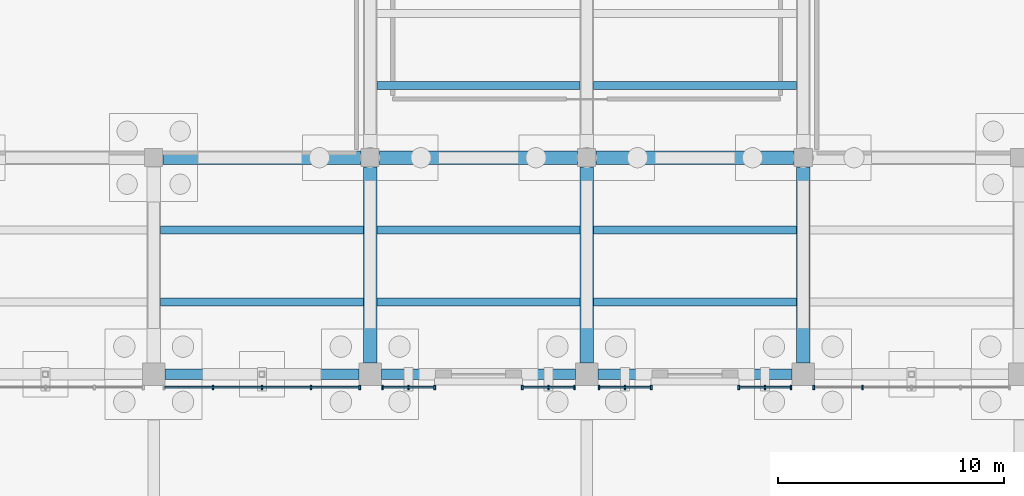
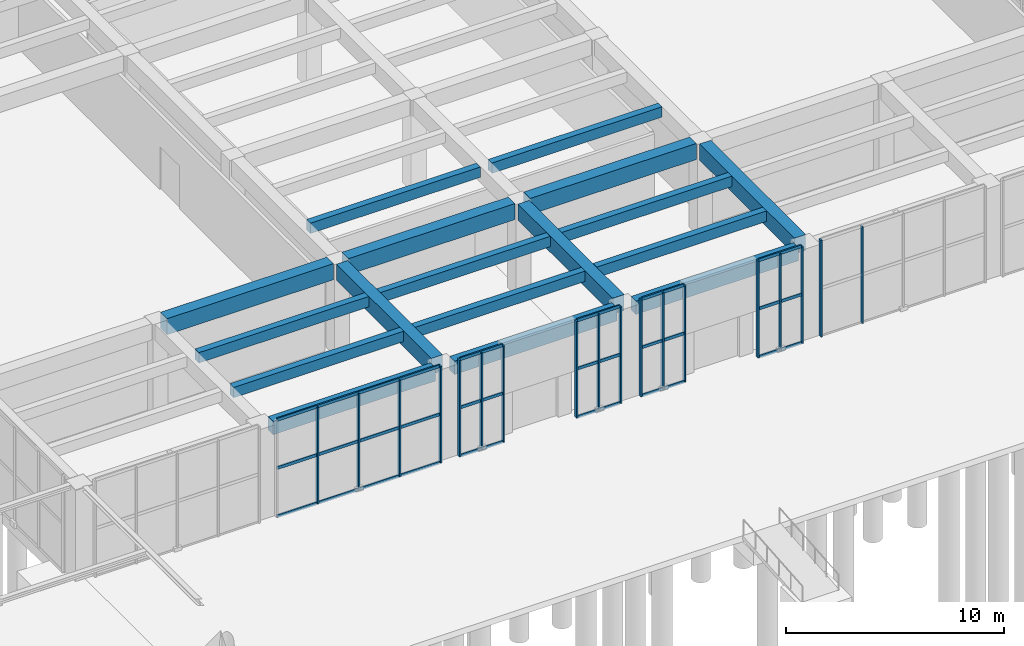
# One storey, part 16 of 51: 33 members, 17 beams, 6 elements without a shape of their own.
"""IFC4 building model written with IfcOpenShell, lengths in metres."""

from ifc_helpers import new_model, si_unit, direction, frame, origin, origin_2d, place, context, subcontext, project, spatial, rectangle, extrude, material, layer, layer_set, material_profile, profile_set, type_object, element, aggregate, save


model = new_model("IFC4")

# Units and contexts
model_context = context("Model", 3, precision=1e-05, world=origin(), true_north=direction((0.0, 1.0)))
body_context = subcontext(model_context, "Body", "Model", "MODEL_VIEW")
ifc_project = project(units=[si_unit("LENGTHUNIT", "METRE"), si_unit("AREAUNIT", "SQUARE_METRE"), si_unit("VOLUMEUNIT", "CUBIC_METRE"), si_unit("PLANEANGLEUNIT", "RADIAN"), si_unit("MASSUNIT", "GRAM", prefix="KILO")], contexts=[model_context])

# Site, building, storey
site_placement = place(None, origin())
site = spatial("IfcSite", under=ifc_project, at=site_placement, CompositionType="ELEMENT")
building_placement = place(site_placement, origin())
building = spatial("IfcBuilding", under=site, at=building_placement, Name="Bempovik Park Faculty of Sciences", CompositionType="ELEMENT")
storey_placement = place(building_placement, origin())
storey = spatial("IfcBuildingStorey", under=building, at=storey_placement, Name="L00", CompositionType="ELEMENT", Elevation=0.0)

# Beams
ifc_material_1 = material(Name="Concrete C35/45", Category="concrete")
ifc_material_profile_1 = material_profile(ifc_material_1, rectangle(XDim=0.35009765625, YDim=0.580078125, at=origin_2d()), Name="RC 350x580")
ifc_profile_set_1 = profile_set([ifc_material_profile_1], Name="Concrete C35/45")
beam_type_1 = type_object("IfcBeamType", Name="B-107 RC 350x580", PredefinedType="JOIST", material=ifc_profile_set_1)
for number, where, z_axis, x_axis, name in (
    (1, (69.906005859375, 23.0, 4.7900390625), (1.0, 0.0, 0.0), (0.0, 1.0, 0.0), "L00 Secondary Joist (69.6-79.2, y=23.00)"),
    (2, (69.906005859375, 26.199951171875, 4.7900390625), (1.0, 0.0, 0.0), (0.0, 1.0, 0.0), "L00 Secondary Joist (69.6-79.2, y=26.20)"),
):
    element("IfcBeam", number, at=place(storey_placement, frame(where, z_axis=z_axis, x_axis=x_axis)), inside=storey, type_object=beam_type_1, Name=name, PredefinedType="JOIST", context=body_context, shape_type="SweptSolid", body=[
        extrude(rectangle(XDim=0.35009765625, YDim=0.580078125, at=origin_2d()), origin(), (0.0, 0.0, 1.0), 8.988037109375),
    ])
for number, where, z_axis, x_axis, name in (
    (3, (79.506103515625, 23.0, 4.7900390625), (1.0, 0.0, 0.0), (0.0, 1.0, 0.0), "L00 Secondary Joist (79.2-88.8, y=23.00)"),
    (4, (79.506103515625, 26.199951171875, 4.7900390625), (1.0, 0.0, 0.0), (0.0, 1.0, 0.0), "L00 Secondary Joist (79.2-88.8, y=26.20)"),
    (5, (79.506103515625, 32.60009765625, 4.7900390625), (1.0, 0.0, 0.0), (0.0, 1.0, 0.0), "L00 Secondary Joist (79.2-88.8, y=32.60)"),
):
    element("IfcBeam", number, at=place(storey_placement, frame(where, z_axis=z_axis, x_axis=x_axis)), inside=storey, type_object=beam_type_1, Name=name, PredefinedType="JOIST", context=body_context, shape_type="SweptSolid", body=[
        extrude(rectangle(XDim=0.35009765625, YDim=0.580078125, at=origin_2d()), origin(), (0.0, 0.0, 1.0), 8.98779296875),
    ])
for number, where, z_axis, x_axis, name in (
    (6, (89.10595703125, 23.0, 4.7900390625), (1.0, 0.0, 0.0), (0.0, 1.0, 0.0), "L00 Secondary Joist (88.8-98.4, y=23.00)"),
    (7, (89.10595703125, 26.199951171875, 4.7900390625), (1.0, 0.0, 0.0), (0.0, 1.0, 0.0), "L00 Secondary Joist (88.8-98.4, y=26.20)"),
    (8, (89.10595703125, 32.60009765625, 4.7900390625), (1.0, 0.0, 0.0), (0.0, 1.0, 0.0), "L00 Secondary Joist (88.8-98.4, y=32.60)"),
):
    element("IfcBeam", number, at=place(storey_placement, frame(where, z_axis=z_axis, x_axis=x_axis)), inside=storey, type_object=beam_type_1, Name=name, PredefinedType="JOIST", context=body_context, shape_type="SweptSolid", body=[
        extrude(rectangle(XDim=0.35009765625, YDim=0.580078125, at=origin_2d()), origin(), (0.0, 0.0, 1.0), 8.988037109375),
    ])
ifc_material_2 = material(Name="Concrete C40/50", Category="concrete")
ifc_material_profile_2 = material_profile(ifc_material_2, rectangle(XDim=0.60009765625, YDim=0.89990234375, at=origin_2d()), Name="RC 600x900")
ifc_profile_set_2 = profile_set([ifc_material_profile_2], Name="Concrete C40/50")
beam_type_2 = type_object("IfcBeamType", Name="B-115 RC 600x900", PredefinedType="BEAM", material=ifc_profile_set_2)
beam_1_placement = place(storey_placement, frame((70.006103515625, 29.39990234375, 4.6298828125), z_axis=(1.0, 0.0, 0.0), x_axis=(0.0, 1.0, 0.0)))
element("IfcBeam", 9, at=beam_1_placement, inside=storey, type_object=beam_type_2, Name="L00 Beam X (69.6-79.2, y=29.4)", PredefinedType="BEAM", context=body_context, shape_type="SweptSolid", body=[
    extrude(rectangle(XDim=0.60009765625, YDim=0.89990234375, at=origin_2d()), origin(), (0.0, 0.0, 1.0), 8.787841796875),
])
beam_2_placement = place(storey_placement, frame((79.60595703125, 29.39990234375, 4.6298828125), z_axis=(1.0, 0.0, 0.0), x_axis=(0.0, 1.0, 0.0)))
element("IfcBeam", 10, at=beam_2_placement, inside=storey, type_object=beam_type_2, Name="L00 Beam X (79.2-88.8, y=29.4)", PredefinedType="BEAM", context=body_context, shape_type="SweptSolid", body=[
    extrude(rectangle(XDim=0.60009765625, YDim=0.89990234375, at=origin_2d()), origin(), (0.0, 0.0, 1.0), 8.7880859375),
])
beam_3_placement = place(storey_placement, frame((89.2060546875, 29.39990234375, 4.6298828125), z_axis=(1.0, 0.0, 0.0), x_axis=(0.0, 1.0, 0.0)))
element("IfcBeam", 11, at=beam_3_placement, inside=storey, type_object=beam_type_2, Name="L00 Beam X (88.8-98.4, y=29.4)", PredefinedType="BEAM", context=body_context, shape_type="SweptSolid", body=[
    extrude(rectangle(XDim=0.60009765625, YDim=0.89990234375, at=origin_2d()), origin(), (0.0, 0.0, 1.0), 8.787841796875),
])
for number, where, z_axis, x_axis, name in (
    (12, (79.199951171875, 20.305908203125, 4.6298828125), (0.0, 1.0, 0.0), (-1.0, 0.0, 0.0), "L00 Beam Y (x=79.2, 19.8-29.4)"),
    (13, (88.800048828125, 20.305908203125, 4.6298828125), (0.0, 1.0, 0.0), (-1.0, 0.0, 0.0), "L00 Beam Y (x=88.8, 19.8-29.4)"),
    (14, (98.39990234375, 20.305908203125, 4.6298828125), (0.0, 1.0, 0.0), (-1.0, 0.0, 0.0), "L00 Beam Y (x=98.4, 19.8-29.4)"),
):
    element("IfcBeam", number, at=place(storey_placement, frame(where, z_axis=z_axis, x_axis=x_axis)), inside=storey, type_object=beam_type_2, Name=name, PredefinedType="BEAM", context=body_context, shape_type="SweptSolid", body=[
        extrude(rectangle(XDim=0.60009765625, YDim=0.89990234375, at=origin_2d()), origin(), (0.0, 0.0, 1.0), 8.68798828125),
    ])
ifc_material_profile_3 = material_profile(ifc_material_2, rectangle(XDim=0.449951171875, YDim=0.75, at=origin_2d()), Name="RC 450x750")
ifc_profile_set_3 = profile_set([ifc_material_profile_3], Name="Concrete C40/50")
beam_type_3 = type_object("IfcBeamType", Name="B-130 RC 450x750", PredefinedType="SPANDREL", material=ifc_profile_set_3)
beam_4_placement = place(storey_placement, frame((70.10595703125, 19.800048828125, 4.705078125), z_axis=(1.0, 0.0, 0.0), x_axis=(0.0, 1.0, 0.0)))
element("IfcBeam", 15, at=beam_4_placement, inside=storey, type_object=beam_type_3, Name="L00 Beam X (69.6-79.2, y=19.8)", PredefinedType="SPANDREL", context=body_context, shape_type="SweptSolid", body=[
    extrude(rectangle(XDim=0.449951171875, YDim=0.75, at=origin_2d()), origin(), (0.0, 0.0, 1.0), 8.588134765625),
])
beam_5_placement = place(storey_placement, frame((79.7060546875, 19.800048828125, 4.705078125), z_axis=(1.0, 0.0, 0.0), x_axis=(0.0, 1.0, 0.0)))
element("IfcBeam", 16, at=beam_5_placement, inside=storey, type_object=beam_type_3, Name="L00 Beam X (79.2-88.8, y=19.8)", PredefinedType="SPANDREL", context=body_context, shape_type="SweptSolid", body=[
    extrude(rectangle(XDim=0.449951171875, YDim=0.75, at=origin_2d()), origin(), (0.0, 0.0, 1.0), 8.587890625),
])
beam_6_placement = place(storey_placement, frame((89.305908203125, 19.800048828125, 4.705078125), z_axis=(1.0, 0.0, 0.0), x_axis=(0.0, 1.0, 0.0)))
element("IfcBeam", 17, at=beam_6_placement, inside=storey, type_object=beam_type_3, Name="L00 Beam X (88.8-98.4, y=19.8)", PredefinedType="SPANDREL", context=body_context, shape_type="SweptSolid", body=[
    extrude(rectangle(XDim=0.449951171875, YDim=0.75, at=origin_2d()), origin(), (0.0, 0.0, 1.0), 8.588134765625),
])

# Curtain wall, members
ifc_material_3 = material(Name="Tempered laminated low-E glass", Category="glass")
ifc_layer_1 = layer(ifc_material_3, 0.159912109375)
ifc_layer_set_1 = layer_set([ifc_layer_1], Name="Tempered laminated low-E glass")
curtain_wall_type_1 = type_object("IfcCurtainWallType", Name="CW-57 Curtain 7200x5100", PredefinedType="USERDEFINED", material=ifc_layer_set_1)
curtain_wall_1_placement = place(storey_placement, origin())
curtain_wall_1 = element("IfcCurtainWall", 18, at=curtain_wall_1_placement, inside=storey, type_object=curtain_wall_type_1, Name="L00 Recessed Entrance Foyer Curtain Wall (69.6-79.2)", ObjectType="UNITISED CURTAIN WALL", PredefinedType="USERDEFINED")
ifc_material_4 = material(Name="Anodised architectural bronze", Category="aluminium")
ifc_material_profile_4 = material_profile(ifc_material_4, rectangle(XDim=0.074951171875, YDim=0.199951171875, at=origin_2d()), Name="ALU-M 75x200")
ifc_profile_set_4 = profile_set([ifc_material_profile_4], Name="Anodised architectural bronze")
member_type_1 = type_object("IfcMemberType", Name="ML-17 ALU-M 75x200", PredefinedType="MULLION", material=ifc_profile_set_4)
member_1_placement = place(storey_placement, frame((72.23095703125, 19.219970703125, 0.0), z_axis=(0.0, 0.0, 1.0), x_axis=(1.0, 0.0, 0.0)))
member_1 = element("IfcMember", 19, at=member_1_placement, type_object=member_type_1, Name="CW-FOY-L00-198-696 Mullion 1", PredefinedType="MULLION", context=body_context, shape_type="SweptSolid", body=[
    extrude(rectangle(XDim=0.074951171875, YDim=0.199951171875, at=origin_2d()), origin(), (0.0, 0.0, 1.0), 5.39990234375),
])
member_2_placement = place(storey_placement, frame((74.39990234375, 19.219970703125, 0.0), z_axis=(0.0, 0.0, 1.0), x_axis=(1.0, 0.0, 0.0)))
member_2 = element("IfcMember", 20, at=member_2_placement, type_object=member_type_1, Name="CW-FOY-L00-198-696 Mullion 2", PredefinedType="MULLION", context=body_context, shape_type="SweptSolid", body=[
    extrude(rectangle(XDim=0.074951171875, YDim=0.199951171875, at=origin_2d()), origin(), (0.0, 0.0, 1.0), 5.39990234375),
])
member_3_placement = place(storey_placement, frame((76.569091796875, 19.219970703125, 0.0), z_axis=(0.0, 0.0, 1.0), x_axis=(1.0, 0.0, 0.0)))
member_3 = element("IfcMember", 21, at=member_3_placement, type_object=member_type_1, Name="CW-FOY-L00-198-696 Mullion 3", PredefinedType="MULLION", context=body_context, shape_type="SweptSolid", body=[
    extrude(rectangle(XDim=0.074951171875, YDim=0.199951171875, at=origin_2d()), origin(), (0.0, 0.0, 1.0), 5.39990234375),
])
member_4_placement = place(storey_placement, frame((78.738037109375, 19.219970703125, 0.0), z_axis=(0.0, 0.0, 1.0), x_axis=(1.0, 0.0, 0.0)))
member_4 = element("IfcMember", 22, at=member_4_placement, type_object=member_type_1, Name="CW-FOY-L00-198-696 Mullion 4", PredefinedType="MULLION", context=body_context, shape_type="SweptSolid", body=[
    extrude(rectangle(XDim=0.074951171875, YDim=0.199951171875, at=origin_2d()), origin(), (0.0, 0.0, 1.0), 5.39990234375),
])

ifc_layer_2 = layer(ifc_material_3, 0.159912109375)
ifc_layer_set_2 = layer_set([ifc_layer_2], Name="Tempered laminated low-E glass")
curtain_wall_type_2 = type_object("IfcCurtainWallType", Name="CW-27 Curtain 6000x5100", PredefinedType="USERDEFINED", material=ifc_layer_set_2)
curtain_wall_2_placement = place(storey_placement, origin())
curtain_wall_2 = element("IfcCurtainWall", 23, at=curtain_wall_2_placement, inside=storey, type_object=curtain_wall_type_2, Name="L00 Recessed Entrance Foyer Curtain Wall (79.2L)", ObjectType="UNITISED CURTAIN WALL", PredefinedType="USERDEFINED")
member_5_placement = place(storey_placement, frame((79.741943359375, 19.219970703125, 0.0), z_axis=(0.0, 0.0, 1.0), x_axis=(1.0, 0.0, 0.0)))
member_5 = element("IfcMember", 24, at=member_5_placement, type_object=member_type_1, Name="CW-FOY-L00-792L Mullion 0", PredefinedType="MULLION", context=body_context, shape_type="SweptSolid", body=[
    extrude(rectangle(XDim=0.074951171875, YDim=0.199951171875, at=origin_2d()), origin(), (0.0, 0.0, 1.0), 5.39990234375),
])
member_6_placement = place(storey_placement, frame((80.90087890625, 19.219970703125, 0.0), z_axis=(0.0, 0.0, 1.0), x_axis=(1.0, 0.0, 0.0)))
member_6 = element("IfcMember", 25, at=member_6_placement, type_object=member_type_1, Name="CW-FOY-L00-792L Mullion 1", PredefinedType="MULLION", context=body_context, shape_type="SweptSolid", body=[
    extrude(rectangle(XDim=0.074951171875, YDim=0.199951171875, at=origin_2d()), origin(), (0.0, 0.0, 1.0), 5.39990234375),
])
member_7_placement = place(storey_placement, frame((82.06005859375, 19.219970703125, 0.0), z_axis=(0.0, 0.0, 1.0), x_axis=(1.0, 0.0, 0.0)))
member_7 = element("IfcMember", 26, at=member_7_placement, type_object=member_type_1, Name="CW-FOY-L00-792L Mullion 2", PredefinedType="MULLION", context=body_context, shape_type="SweptSolid", body=[
    extrude(rectangle(XDim=0.074951171875, YDim=0.199951171875, at=origin_2d()), origin(), (0.0, 0.0, 1.0), 5.39990234375),
])

curtain_wall_3_placement = place(storey_placement, origin())
curtain_wall_3 = element("IfcCurtainWall", 27, at=curtain_wall_3_placement, inside=storey, type_object=curtain_wall_type_2, Name="L00 Recessed Entrance Foyer Curtain Wall (79.2R)", ObjectType="UNITISED CURTAIN WALL", PredefinedType="USERDEFINED")
member_8_placement = place(storey_placement, frame((85.93994140625, 19.219970703125, 0.0), z_axis=(0.0, 0.0, 1.0), x_axis=(1.0, 0.0, 0.0)))
member_8 = element("IfcMember", 28, at=member_8_placement, type_object=member_type_1, Name="CW-FOY-L00-792R Mullion 0", PredefinedType="MULLION", context=body_context, shape_type="SweptSolid", body=[
    extrude(rectangle(XDim=0.074951171875, YDim=0.199951171875, at=origin_2d()), origin(), (0.0, 0.0, 1.0), 5.39990234375),
])
member_9_placement = place(storey_placement, frame((87.09912109375, 19.219970703125, 0.0), z_axis=(0.0, 0.0, 1.0), x_axis=(1.0, 0.0, 0.0)))
member_9 = element("IfcMember", 29, at=member_9_placement, type_object=member_type_1, Name="CW-FOY-L00-792R Mullion 1", PredefinedType="MULLION", context=body_context, shape_type="SweptSolid", body=[
    extrude(rectangle(XDim=0.074951171875, YDim=0.199951171875, at=origin_2d()), origin(), (0.0, 0.0, 1.0), 5.39990234375),
])
member_10_placement = place(storey_placement, frame((88.258056640625, 19.219970703125, 0.0), z_axis=(0.0, 0.0, 1.0), x_axis=(1.0, 0.0, 0.0)))
member_10 = element("IfcMember", 30, at=member_10_placement, type_object=member_type_1, Name="CW-FOY-L00-792R Mullion 2", PredefinedType="MULLION", context=body_context, shape_type="SweptSolid", body=[
    extrude(rectangle(XDim=0.074951171875, YDim=0.199951171875, at=origin_2d()), origin(), (0.0, 0.0, 1.0), 5.39990234375),
])

curtain_wall_4_placement = place(storey_placement, origin())
curtain_wall_4 = element("IfcCurtainWall", 31, at=curtain_wall_4_placement, inside=storey, type_object=curtain_wall_type_2, Name="L00 Recessed Entrance Foyer Curtain Wall (88.8L)", ObjectType="UNITISED CURTAIN WALL", PredefinedType="USERDEFINED")
member_11_placement = place(storey_placement, frame((89.342041015625, 19.219970703125, 0.0), z_axis=(0.0, 0.0, 1.0), x_axis=(1.0, 0.0, 0.0)))
member_11 = element("IfcMember", 32, at=member_11_placement, type_object=member_type_1, Name="CW-FOY-L00-888L Mullion 0", PredefinedType="MULLION", context=body_context, shape_type="SweptSolid", body=[
    extrude(rectangle(XDim=0.074951171875, YDim=0.199951171875, at=origin_2d()), origin(), (0.0, 0.0, 1.0), 5.39990234375),
])
member_12_placement = place(storey_placement, frame((90.5009765625, 19.219970703125, 0.0), z_axis=(0.0, 0.0, 1.0), x_axis=(1.0, 0.0, 0.0)))
member_12 = element("IfcMember", 33, at=member_12_placement, type_object=member_type_1, Name="CW-FOY-L00-888L Mullion 1", PredefinedType="MULLION", context=body_context, shape_type="SweptSolid", body=[
    extrude(rectangle(XDim=0.074951171875, YDim=0.199951171875, at=origin_2d()), origin(), (0.0, 0.0, 1.0), 5.39990234375),
])
member_13_placement = place(storey_placement, frame((91.659912109375, 19.219970703125, 0.0), z_axis=(0.0, 0.0, 1.0), x_axis=(1.0, 0.0, 0.0)))
member_13 = element("IfcMember", 34, at=member_13_placement, type_object=member_type_1, Name="CW-FOY-L00-888L Mullion 2", PredefinedType="MULLION", context=body_context, shape_type="SweptSolid", body=[
    extrude(rectangle(XDim=0.074951171875, YDim=0.199951171875, at=origin_2d()), origin(), (0.0, 0.0, 1.0), 5.39990234375),
])

curtain_wall_5_placement = place(storey_placement, origin())
curtain_wall_5 = element("IfcCurtainWall", 35, at=curtain_wall_5_placement, inside=storey, type_object=curtain_wall_type_2, Name="L00 Recessed Entrance Foyer Curtain Wall (88.8R)", ObjectType="UNITISED CURTAIN WALL", PredefinedType="USERDEFINED")
member_14_placement = place(storey_placement, frame((95.5400390625, 19.219970703125, 0.0), z_axis=(0.0, 0.0, 1.0), x_axis=(1.0, 0.0, 0.0)))
member_14 = element("IfcMember", 36, at=member_14_placement, type_object=member_type_1, Name="CW-FOY-L00-888R Mullion 0", PredefinedType="MULLION", context=body_context, shape_type="SweptSolid", body=[
    extrude(rectangle(XDim=0.074951171875, YDim=0.199951171875, at=origin_2d()), origin(), (0.0, 0.0, 1.0), 5.39990234375),
])
member_15_placement = place(storey_placement, frame((96.698974609375, 19.219970703125, 0.0), z_axis=(0.0, 0.0, 1.0), x_axis=(1.0, 0.0, 0.0)))
member_15 = element("IfcMember", 37, at=member_15_placement, type_object=member_type_1, Name="CW-FOY-L00-888R Mullion 1", PredefinedType="MULLION", context=body_context, shape_type="SweptSolid", body=[
    extrude(rectangle(XDim=0.074951171875, YDim=0.199951171875, at=origin_2d()), origin(), (0.0, 0.0, 1.0), 5.39990234375),
])
member_16_placement = place(storey_placement, frame((97.85791015625, 19.219970703125, 0.0), z_axis=(0.0, 0.0, 1.0), x_axis=(1.0, 0.0, 0.0)))
member_16 = element("IfcMember", 38, at=member_16_placement, type_object=member_type_1, Name="CW-FOY-L00-888R Mullion 2", PredefinedType="MULLION", context=body_context, shape_type="SweptSolid", body=[
    extrude(rectangle(XDim=0.074951171875, YDim=0.199951171875, at=origin_2d()), origin(), (0.0, 0.0, 1.0), 5.39990234375),
])

curtain_wall_6_placement = place(storey_placement, origin())
curtain_wall_6 = element("IfcCurtainWall", 39, at=curtain_wall_6_placement, inside=storey, type_object=curtain_wall_type_1, Name="L00 Recessed Entrance Foyer Curtain Wall (98.4-108.0)", ObjectType="UNITISED CURTAIN WALL", PredefinedType="USERDEFINED")
member_17_placement = place(storey_placement, frame((98.862060546875, 19.219970703125, 0.0), z_axis=(0.0, 0.0, 1.0), x_axis=(1.0, 0.0, 0.0)))
member_17 = element("IfcMember", 40, at=member_17_placement, type_object=member_type_1, Name="CW-FOY-L00-198-984 Mullion 0", PredefinedType="MULLION", context=body_context, shape_type="SweptSolid", body=[
    extrude(rectangle(XDim=0.074951171875, YDim=0.199951171875, at=origin_2d()), origin(), (0.0, 0.0, 1.0), 5.39990234375),
])
member_18_placement = place(storey_placement, frame((101.031005859375, 19.219970703125, 0.0), z_axis=(0.0, 0.0, 1.0), x_axis=(1.0, 0.0, 0.0)))
member_18 = element("IfcMember", 41, at=member_18_placement, type_object=member_type_1, Name="CW-FOY-L00-198-984 Mullion 1", PredefinedType="MULLION", context=body_context, shape_type="SweptSolid", body=[
    extrude(rectangle(XDim=0.074951171875, YDim=0.199951171875, at=origin_2d()), origin(), (0.0, 0.0, 1.0), 5.39990234375),
])
aggregate(curtain_wall_6, [member_17, member_18])

# Member
ifc_material_profile_5 = material_profile(ifc_material_4, rectangle(XDim=0.074951171875, YDim=0.1650390625, at=origin_2d()), Name="ALU-T 75x165")
ifc_profile_set_5 = profile_set([ifc_material_profile_5], Name="Anodised architectural bronze")
member_type_2 = type_object("IfcMemberType", Name="TR-15 ALU-T 75x165", PredefinedType="USERDEFINED", material=ifc_profile_set_5)
member_19_placement = place(storey_placement, frame((70.10205078125, 19.219970703125, 0.0), z_axis=(1.0, 0.0, 0.0), x_axis=(0.0, 1.0, 0.0)))
member_19 = element("IfcMember", 42, at=member_19_placement, type_object=member_type_2, Name="CW-FOY-L00-198-696 Transom 0", ObjectType="TRANSOM", PredefinedType="USERDEFINED", context=body_context, shape_type="SweptSolid", body=[
    extrude(rectangle(XDim=0.074951171875, YDim=0.1650390625, at=origin_2d()), origin(), (0.0, 0.0, 1.0), 8.595947265625),
])

member_20_placement = place(storey_placement, frame((70.10205078125, 19.219970703125, 2.699951171875), z_axis=(1.0, 0.0, 0.0), x_axis=(0.0, 1.0, 0.0)))
member_20 = element("IfcMember", 43, at=member_20_placement, type_object=member_type_2, Name="CW-FOY-L00-198-696 Transom 1", ObjectType="TRANSOM", PredefinedType="USERDEFINED", context=body_context, shape_type="SweptSolid", body=[
    extrude(rectangle(XDim=0.074951171875, YDim=0.1650390625, at=origin_2d()), origin(), (0.0, 0.0, 1.0), 8.595947265625),
])

member_21_placement = place(storey_placement, frame((70.10205078125, 19.219970703125, 5.39990234375), z_axis=(1.0, 0.0, 0.0), x_axis=(0.0, 1.0, 0.0)))
member_21 = element("IfcMember", 44, at=member_21_placement, type_object=member_type_2, Name="CW-FOY-L00-198-696 Transom 2", ObjectType="TRANSOM", PredefinedType="USERDEFINED", context=body_context, shape_type="SweptSolid", body=[
    extrude(rectangle(XDim=0.074951171875, YDim=0.1650390625, at=origin_2d()), origin(), (0.0, 0.0, 1.0), 8.595947265625),
])

aggregate(curtain_wall_1, [member_1, member_2, member_3, member_4, member_19, member_20, member_21])

member_22_placement = place(storey_placement, frame((79.781982421875, 19.219970703125, 0.0), z_axis=(1.0, 0.0, 0.0), x_axis=(0.0, 1.0, 0.0)))
member_22 = element("IfcMember", 45, at=member_22_placement, type_object=member_type_2, Name="CW-FOY-L00-792L Transom 0", ObjectType="TRANSOM", PredefinedType="USERDEFINED", context=body_context, shape_type="SweptSolid", body=[
    extrude(rectangle(XDim=0.074951171875, YDim=0.1650390625, at=origin_2d()), origin(), (0.0, 0.0, 1.0), 2.238037109375),
])

member_23_placement = place(storey_placement, frame((79.781982421875, 19.219970703125, 2.699951171875), z_axis=(1.0, 0.0, 0.0), x_axis=(0.0, 1.0, 0.0)))
member_23 = element("IfcMember", 46, at=member_23_placement, type_object=member_type_2, Name="CW-FOY-L00-792L Transom 1", ObjectType="TRANSOM", PredefinedType="USERDEFINED", context=body_context, shape_type="SweptSolid", body=[
    extrude(rectangle(XDim=0.074951171875, YDim=0.1650390625, at=origin_2d()), origin(), (0.0, 0.0, 1.0), 2.238037109375),
])

member_24_placement = place(storey_placement, frame((79.781982421875, 19.219970703125, 5.39990234375), z_axis=(1.0, 0.0, 0.0), x_axis=(0.0, 1.0, 0.0)))
member_24 = element("IfcMember", 47, at=member_24_placement, type_object=member_type_2, Name="CW-FOY-L00-792L Transom 2", ObjectType="TRANSOM", PredefinedType="USERDEFINED", context=body_context, shape_type="SweptSolid", body=[
    extrude(rectangle(XDim=0.074951171875, YDim=0.1650390625, at=origin_2d()), origin(), (0.0, 0.0, 1.0), 2.238037109375),
])

aggregate(curtain_wall_2, [member_5, member_6, member_7, member_22, member_23, member_24])

member_25_placement = place(storey_placement, frame((85.97998046875, 19.219970703125, 0.0), z_axis=(1.0, 0.0, 0.0), x_axis=(0.0, 1.0, 0.0)))
member_25 = element("IfcMember", 48, at=member_25_placement, type_object=member_type_2, Name="CW-FOY-L00-792R Transom 0", ObjectType="TRANSOM", PredefinedType="USERDEFINED", context=body_context, shape_type="SweptSolid", body=[
    extrude(rectangle(XDim=0.074951171875, YDim=0.1650390625, at=origin_2d()), origin(), (0.0, 0.0, 1.0), 2.238037109375),
])

member_26_placement = place(storey_placement, frame((85.97998046875, 19.219970703125, 2.699951171875), z_axis=(1.0, 0.0, 0.0), x_axis=(0.0, 1.0, 0.0)))
member_26 = element("IfcMember", 49, at=member_26_placement, type_object=member_type_2, Name="CW-FOY-L00-792R Transom 1", ObjectType="TRANSOM", PredefinedType="USERDEFINED", context=body_context, shape_type="SweptSolid", body=[
    extrude(rectangle(XDim=0.074951171875, YDim=0.1650390625, at=origin_2d()), origin(), (0.0, 0.0, 1.0), 2.238037109375),
])

member_27_placement = place(storey_placement, frame((85.97998046875, 19.219970703125, 5.39990234375), z_axis=(1.0, 0.0, 0.0), x_axis=(0.0, 1.0, 0.0)))
member_27 = element("IfcMember", 50, at=member_27_placement, type_object=member_type_2, Name="CW-FOY-L00-792R Transom 2", ObjectType="TRANSOM", PredefinedType="USERDEFINED", context=body_context, shape_type="SweptSolid", body=[
    extrude(rectangle(XDim=0.074951171875, YDim=0.1650390625, at=origin_2d()), origin(), (0.0, 0.0, 1.0), 2.238037109375),
])

aggregate(curtain_wall_3, [member_8, member_9, member_10, member_25, member_26, member_27])

member_28_placement = place(storey_placement, frame((89.382080078125, 19.219970703125, 0.0), z_axis=(1.0, 0.0, 0.0), x_axis=(0.0, 1.0, 0.0)))
member_28 = element("IfcMember", 51, at=member_28_placement, type_object=member_type_2, Name="CW-FOY-L00-888L Transom 0", ObjectType="TRANSOM", PredefinedType="USERDEFINED", context=body_context, shape_type="SweptSolid", body=[
    extrude(rectangle(XDim=0.074951171875, YDim=0.1650390625, at=origin_2d()), origin(), (0.0, 0.0, 1.0), 2.238037109375),
])

member_29_placement = place(storey_placement, frame((89.382080078125, 19.219970703125, 2.699951171875), z_axis=(1.0, 0.0, 0.0), x_axis=(0.0, 1.0, 0.0)))
member_29 = element("IfcMember", 52, at=member_29_placement, type_object=member_type_2, Name="CW-FOY-L00-888L Transom 1", ObjectType="TRANSOM", PredefinedType="USERDEFINED", context=body_context, shape_type="SweptSolid", body=[
    extrude(rectangle(XDim=0.074951171875, YDim=0.1650390625, at=origin_2d()), origin(), (0.0, 0.0, 1.0), 2.238037109375),
])

member_30_placement = place(storey_placement, frame((89.382080078125, 19.219970703125, 5.39990234375), z_axis=(1.0, 0.0, 0.0), x_axis=(0.0, 1.0, 0.0)))
member_30 = element("IfcMember", 53, at=member_30_placement, type_object=member_type_2, Name="CW-FOY-L00-888L Transom 2", ObjectType="TRANSOM", PredefinedType="USERDEFINED", context=body_context, shape_type="SweptSolid", body=[
    extrude(rectangle(XDim=0.074951171875, YDim=0.1650390625, at=origin_2d()), origin(), (0.0, 0.0, 1.0), 2.238037109375),
])

aggregate(curtain_wall_4, [member_11, member_12, member_13, member_28, member_29, member_30])

member_31_placement = place(storey_placement, frame((95.580078125, 19.219970703125, 0.0), z_axis=(1.0, 0.0, 0.0), x_axis=(0.0, 1.0, 0.0)))
member_31 = element("IfcMember", 54, at=member_31_placement, type_object=member_type_2, Name="CW-FOY-L00-888R Transom 0", ObjectType="TRANSOM", PredefinedType="USERDEFINED", context=body_context, shape_type="SweptSolid", body=[
    extrude(rectangle(XDim=0.074951171875, YDim=0.1650390625, at=origin_2d()), origin(), (0.0, 0.0, 1.0), 2.238037109375),
])

member_32_placement = place(storey_placement, frame((95.580078125, 19.219970703125, 2.699951171875), z_axis=(1.0, 0.0, 0.0), x_axis=(0.0, 1.0, 0.0)))
member_32 = element("IfcMember", 55, at=member_32_placement, type_object=member_type_2, Name="CW-FOY-L00-888R Transom 1", ObjectType="TRANSOM", PredefinedType="USERDEFINED", context=body_context, shape_type="SweptSolid", body=[
    extrude(rectangle(XDim=0.074951171875, YDim=0.1650390625, at=origin_2d()), origin(), (0.0, 0.0, 1.0), 2.238037109375),
])

member_33_placement = place(storey_placement, frame((95.580078125, 19.219970703125, 5.39990234375), z_axis=(1.0, 0.0, 0.0), x_axis=(0.0, 1.0, 0.0)))
member_33 = element("IfcMember", 56, at=member_33_placement, type_object=member_type_2, Name="CW-FOY-L00-888R Transom 2", ObjectType="TRANSOM", PredefinedType="USERDEFINED", context=body_context, shape_type="SweptSolid", body=[
    extrude(rectangle(XDim=0.074951171875, YDim=0.1650390625, at=origin_2d()), origin(), (0.0, 0.0, 1.0), 2.238037109375),
])

aggregate(curtain_wall_5, [member_14, member_15, member_16, member_31, member_32, member_33])

save(model, "model.ifc")
